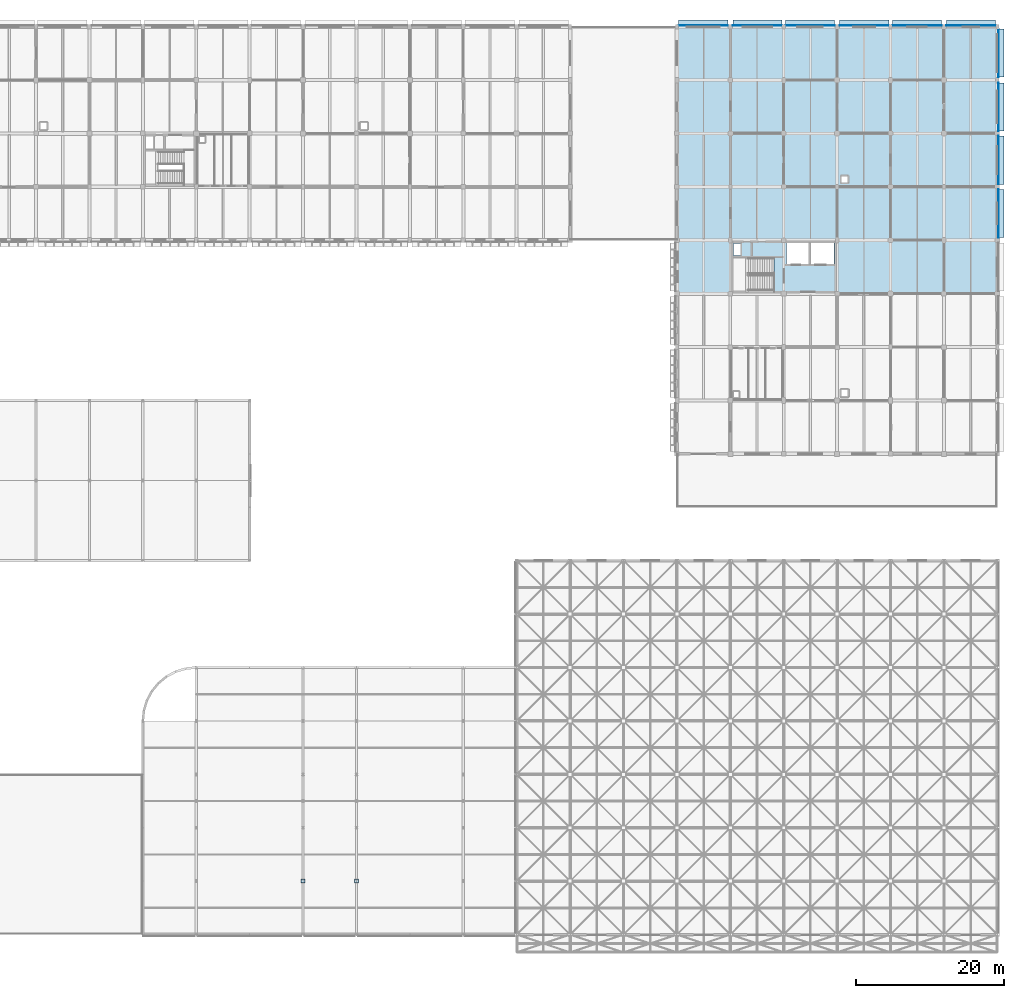
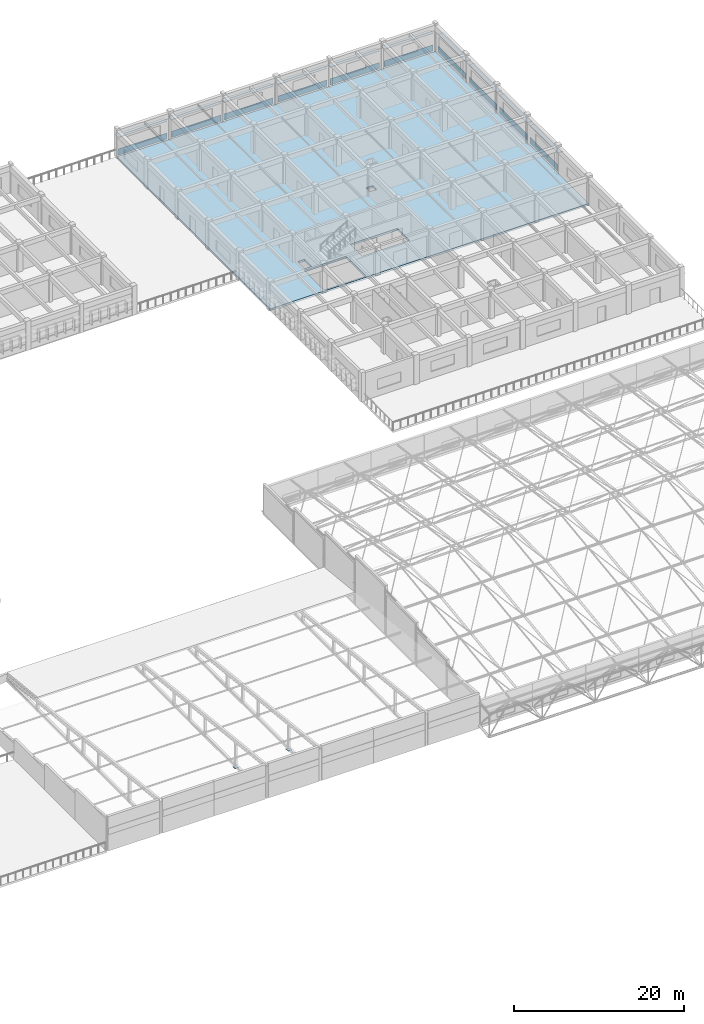
# One storey, part 78 of 103: 22 plates, 1 slab.
"""IFC4 building model written with IfcOpenShell, lengths in metres."""

from ifc_helpers import new_model, si_unit, direction, frame, origin, origin_2d, place, context, subcontext, project, spatial, polyline, rectangle, outline, extrude, material, layer, layer_set, type_object, element, save


model = new_model("IFC4")

# Units and contexts
model_context = context("Model", 3, precision=1e-05, world=origin(), true_north=direction((0.0, 1.0)))
body_context = subcontext(model_context, "Body", "Model", "MODEL_VIEW")
ifc_project = project(units=[si_unit("LENGTHUNIT", "METRE"), si_unit("AREAUNIT", "SQUARE_METRE"), si_unit("VOLUMEUNIT", "CUBIC_METRE"), si_unit("PLANEANGLEUNIT", "RADIAN"), si_unit("MASSUNIT", "GRAM", prefix="KILO")], contexts=[model_context])

# Site, building, storey
site_placement = place(None, origin())
site = spatial("IfcSite", under=ifc_project, at=site_placement, CompositionType="ELEMENT")
building_placement = place(site_placement, origin())
building = spatial("IfcBuilding", under=site, at=building_placement, Name="Thalmaran Polytechnic", CompositionType="ELEMENT")
storey_placement = place(building_placement, frame((0.0, 0.0, 14.39990234375)))
storey = spatial("IfcBuildingStorey", under=building, at=storey_placement, Name="L03", CompositionType="ELEMENT", Elevation=14.39990234375)

# Plates
ifc_material_1 = material(Name="Anodised aluminium spandrel band", Category="aluminium")
ifc_layer_1 = layer(ifc_material_1, 0.054931640625, Name="Anodised aluminium spandrel band")
ifc_layer_set_1 = layer_set([ifc_layer_1], Name="Anodised aluminium spandrel band")
plate_type_1 = type_object("IfcPlateType", Name="PT-BD01", PredefinedType="SHEET", material=ifc_layer_set_1)
for number, where, z_axis, x_axis, name in (
    (1, (133.14990234375, 122.570068359375, 0.020263671875), (0.0, 0.0, 1.0), (1.0, 0.0, 0.0), "Streamline Horizontal Spandrel Band L03-004"),
    (2, (140.449951171875, 122.570068359375, 0.020263671875), (0.0, 0.0, 1.0), (1.0, 0.0, 0.0), "Streamline Horizontal Spandrel Band L03-005"),
    (3, (147.550048828125, 122.570068359375, 0.020263671875), (0.0, 0.0, 1.0), (1.0, 0.0, 0.0), "Streamline Horizontal Spandrel Band L03-006"),
    (4, (154.85009765625, 122.570068359375, 0.020263671875), (0.0, 0.0, 1.0), (1.0, 0.0, 0.0), "Streamline Horizontal Spandrel Band L03-007"),
    (5, (161.949951171875, 122.570068359375, 0.020263671875), (0.0, 0.0, 1.0), (1.0, 0.0, 0.0), "Streamline Horizontal Spandrel Band L03-008"),
    (6, (169.25, 122.570068359375, 0.020263671875), (0.0, 0.0, 1.0), (1.0, 0.0, 0.0), "Streamline Horizontal Spandrel Band L03-009"),
):
    element("IfcPlate", number, at=place(storey_placement, frame(where, z_axis=z_axis, x_axis=x_axis)), inside=storey, type_object=plate_type_1, Name=name, PredefinedType="SHEET", context=body_context, shape_type="SweptSolid", body=[
        extrude(rectangle(XDim=6.639892578125, YDim=0.054931640625, at=origin_2d()), origin(), (0.0, 0.0, 1.0), 0.8798828125),
    ])
plate_1_placement = place(storey_placement, frame((172.969970703125, 118.827392578125, 0.020263671875), z_axis=(0.0, 0.0, 1.0), x_axis=(0.0, -1.0, 0.0)))
element("IfcPlate", 7, at=plate_1_placement, inside=storey, type_object=plate_type_1, Name="Streamline Horizontal Spandrel Band L03-010", PredefinedType="SHEET", context=body_context, shape_type="SweptSolid", body=[
    extrude(rectangle(XDim=6.465087890625, YDim=0.054931640625, at=origin_2d()), origin(), (0.0, 0.0, 1.0), 0.8798828125),
])
plate_2_placement = place(storey_placement, frame((172.969970703125, 111.5625, 0.020263671875), z_axis=(0.0, 0.0, 1.0), x_axis=(0.0, -1.0, 0.0)))
element("IfcPlate", 8, at=plate_2_placement, inside=storey, type_object=plate_type_1, Name="Streamline Horizontal Spandrel Band L03-011", PredefinedType="SHEET", context=body_context, shape_type="SweptSolid", body=[
    extrude(rectangle(XDim=6.485107421875, YDim=0.054931640625, at=origin_2d()), origin(), (0.0, 0.0, 1.0), 0.8798828125),
])
plate_3_placement = place(storey_placement, frame((172.969970703125, 104.405029296875, 0.020263671875), z_axis=(0.0, 0.0, 1.0), x_axis=(0.0, -1.0, 0.0)))
element("IfcPlate", 9, at=plate_3_placement, inside=storey, type_object=plate_type_1, Name="Streamline Horizontal Spandrel Band L03-012", PredefinedType="SHEET", context=body_context, shape_type="SweptSolid", body=[
    extrude(rectangle(XDim=6.550048828125, YDim=0.054931640625, at=origin_2d()), origin(), (0.0, 0.0, 1.0), 0.8798828125),
])
plate_4_placement = place(storey_placement, frame((172.969970703125, 97.20751953125, 0.020263671875), z_axis=(0.0, 0.0, 1.0), x_axis=(0.0, -1.0, 0.0)))
element("IfcPlate", 10, at=plate_4_placement, inside=storey, type_object=plate_type_1, Name="Streamline Horizontal Spandrel Band L03-013", PredefinedType="SHEET", context=body_context, shape_type="SweptSolid", body=[
    extrude(rectangle(XDim=6.52490234375, YDim=0.054931640625, at=origin_2d()), origin(), (0.0, 0.0, 1.0), 0.8798828125),
])
ifc_material_2 = material(Name="Anodised aluminium sun-hood eyebrow", Category="aluminium")
ifc_layer_2 = layer(ifc_material_2, 0.0849609375, Name="Anodised aluminium sun-hood eyebrow")
ifc_layer_set_2 = layer_set([ifc_layer_2], Name="Anodised aluminium sun-hood eyebrow")
plate_type_2 = type_object("IfcPlateType", Name="PT-EB01", PredefinedType="SHEET", material=ifc_layer_set_2)
for number, where, z_axis, x_axis, name in (
    (11, (133.14990234375, 122.9150390625, 2.517578125), (0.0, 0.0, 1.0), (1.0, 0.0, 0.0), "Streamline Sun-Hood Eyebrow L03-004"),
    (12, (140.449951171875, 122.9150390625, 2.517578125), (0.0, 0.0, 1.0), (1.0, 0.0, 0.0), "Streamline Sun-Hood Eyebrow L03-005"),
    (13, (147.550048828125, 122.9150390625, 2.517578125), (0.0, 0.0, 1.0), (1.0, 0.0, 0.0), "Streamline Sun-Hood Eyebrow L03-006"),
    (14, (154.85009765625, 122.9150390625, 2.517578125), (0.0, 0.0, 1.0), (1.0, 0.0, 0.0), "Streamline Sun-Hood Eyebrow L03-007"),
    (15, (161.949951171875, 122.9150390625, 2.517578125), (0.0, 0.0, 1.0), (1.0, 0.0, 0.0), "Streamline Sun-Hood Eyebrow L03-008"),
    (16, (169.25, 122.9150390625, 2.517578125), (0.0, 0.0, 1.0), (1.0, 0.0, 0.0), "Streamline Sun-Hood Eyebrow L03-009"),
):
    element("IfcPlate", number, at=place(storey_placement, frame(where, z_axis=z_axis, x_axis=x_axis)), inside=storey, type_object=plate_type_2, Name=name, PredefinedType="SHEET", context=body_context, shape_type="SweptSolid", body=[
        extrude(rectangle(XDim=6.639892578125, YDim=0.760009765625, at=origin_2d()), origin(), (0.0, 0.0, 1.0), 0.0849609375),
    ])
plate_5_placement = place(storey_placement, frame((173.31494140625, 118.827392578125, 2.517578125), z_axis=(0.0, 0.0, 1.0), x_axis=(0.0, -1.0, 0.0)))
element("IfcPlate", 17, at=plate_5_placement, inside=storey, type_object=plate_type_2, Name="Streamline Sun-Hood Eyebrow L03-010", PredefinedType="SHEET", context=body_context, shape_type="SweptSolid", body=[
    extrude(rectangle(XDim=6.465087890625, YDim=0.760009765625, at=origin_2d()), origin(), (0.0, 0.0, 1.0), 0.0849609375),
])
plate_6_placement = place(storey_placement, frame((173.31494140625, 111.5625, 2.517578125), z_axis=(0.0, 0.0, 1.0), x_axis=(0.0, -1.0, 0.0)))
element("IfcPlate", 18, at=plate_6_placement, inside=storey, type_object=plate_type_2, Name="Streamline Sun-Hood Eyebrow L03-011", PredefinedType="SHEET", context=body_context, shape_type="SweptSolid", body=[
    extrude(rectangle(XDim=6.485107421875, YDim=0.760009765625, at=origin_2d()), origin(), (0.0, 0.0, 1.0), 0.0849609375),
])
plate_7_placement = place(storey_placement, frame((173.31494140625, 104.405029296875, 2.517578125), z_axis=(0.0, 0.0, 1.0), x_axis=(0.0, -1.0, 0.0)))
element("IfcPlate", 19, at=plate_7_placement, inside=storey, type_object=plate_type_2, Name="Streamline Sun-Hood Eyebrow L03-012", PredefinedType="SHEET", context=body_context, shape_type="SweptSolid", body=[
    extrude(rectangle(XDim=6.550048828125, YDim=0.760009765625, at=origin_2d()), origin(), (0.0, 0.0, 1.0), 0.0849609375),
])
plate_8_placement = place(storey_placement, frame((173.31494140625, 97.20751953125, 2.517578125), z_axis=(0.0, 0.0, 1.0), x_axis=(0.0, -1.0, 0.0)))
element("IfcPlate", 20, at=plate_8_placement, inside=storey, type_object=plate_type_2, Name="Streamline Sun-Hood Eyebrow L03-013", PredefinedType="SHEET", context=body_context, shape_type="SweptSolid", body=[
    extrude(rectangle(XDim=6.52490234375, YDim=0.760009765625, at=origin_2d()), origin(), (0.0, 0.0, 1.0), 0.0849609375),
])
ifc_material_3 = material(Name="Steel S355", Category="steel")
ifc_layer_3 = layer(ifc_material_3, 0.02001953125, Name="Steel S355")
ifc_layer_set_3 = layer_set([ifc_layer_3], Name="Steel S355")
plate_type_3 = type_object("IfcPlateType", Name="PT-GS01", PredefinedType="SHEET", material=ifc_layer_set_3)
for number, where, z_axis, x_axis, name in (
    (21, (79.199951171875, 7.199951171875, 0.0), (0.0, 0.0, 1.0), (1.0, 0.0, 0.0), "Lecture Truss Web Strut Cast-in Base Plate G11-7"),
    (22, (86.39990234375, 7.199951171875, 0.0), (0.0, 0.0, 1.0), (1.0, 0.0, 0.0), "Lecture Truss Web Strut Cast-in Base Plate G12-7"),
):
    element("IfcPlate", number, at=place(storey_placement, frame(where, z_axis=z_axis, x_axis=x_axis)), inside=storey, type_object=plate_type_3, Name=name, PredefinedType="SHEET", context=body_context, shape_type="SweptSolid", body=[
        extrude(rectangle(XDim=0.52001953125, YDim=0.52001953125, at=origin_2d()), origin(), (0.0, 0.0, 1.0), 0.02001953125),
    ])

# Slab
ifc_material_4 = material(Name="Concrete C40/50", Category="concrete")
ifc_layer_4 = layer(ifc_material_4, 0.27490234375, Name="Concrete C40/50")
ifc_layer_set_4 = layer_set([ifc_layer_4], Name="Concrete C40/50")
slab_type = type_object("IfcSlabType", Name="SL-FL05", PredefinedType="FLOOR", material=ifc_layer_set_4)
slab_placement = place(storey_placement, frame((0.0, 0.0, -0.27490234375)))
element("IfcSlab", 23, at=slab_placement, inside=storey, type_object=slab_type, Name="V5N L03 Structural Slab", PredefinedType="FLOOR", context=body_context, shape_type="SweptSolid", body=[
    extrude(outline(polyline([(144.0, 122.39990234375), (151.199951171875, 122.39990234375), (158.39990234375, 122.39990234375), (165.60009765625, 122.39990234375), (172.800048828125, 122.39990234375), (172.800048828125, 115.199951171875), (172.800048828125, 108.0), (172.800048828125, 100.800048828125), (172.800048828125, 93.60009765625), (172.800048828125, 86.39990234375), (165.60009765625, 86.39990234375), (158.39990234375, 86.39990234375), (151.199951171875, 86.39990234375), (144.0, 86.39990234375), (136.800048828125, 86.39990234375), (129.60009765625, 86.39990234375), (129.60009765625, 93.60009765625), (129.60009765625, 100.800048828125), (129.60009765625, 108.0), (129.60009765625, 115.199951171875), (129.60009765625, 122.39990234375), (136.800048828125, 122.39990234375), (144.0, 122.39990234375)]), holes=[polyline([(152.64990234375, 102.25), (151.75, 102.25), (151.75, 101.35009765625), (152.64990234375, 101.35009765625), (152.64990234375, 102.25)]), polyline([(144.39990234375, 93.199951171875), (144.39990234375, 90.39990234375), (150.800048828125, 90.39990234375), (150.800048828125, 93.199951171875), (144.39990234375, 93.199951171875)]), polyline([(142.679931640625, 86.64990234375), (142.679931640625, 91.239990234375), (137.050048828125, 91.239990234375), (137.050048828125, 86.64990234375), (142.679931640625, 86.64990234375)]), polyline([(137.239990234375, 91.5400390625), (138.159912109375, 91.5400390625), (138.159912109375, 93.159912109375), (137.239990234375, 93.159912109375), (137.239990234375, 91.5400390625)])]), origin(), (0.0, 0.0, 1.0), 0.27490234375),
])

save(model, "model.ifc")
